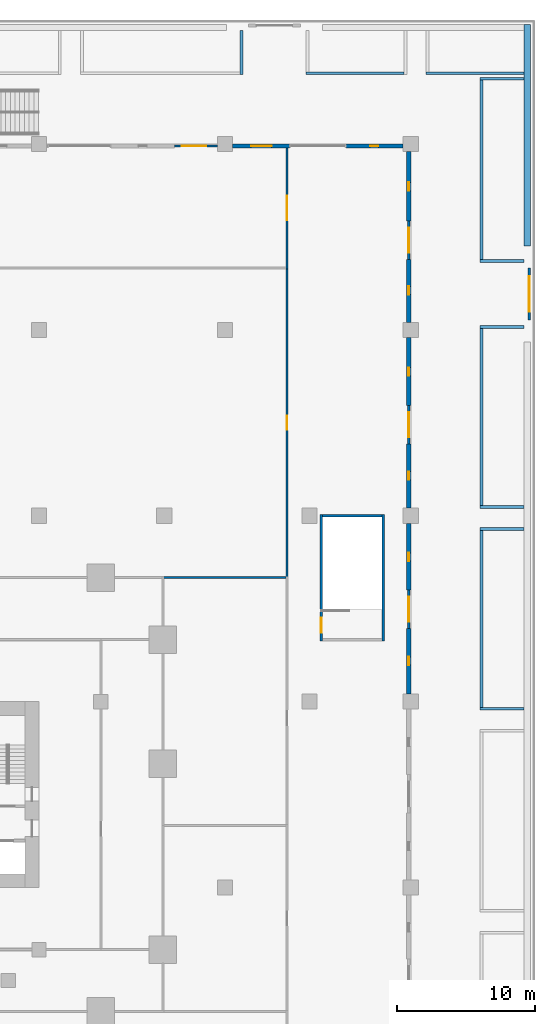
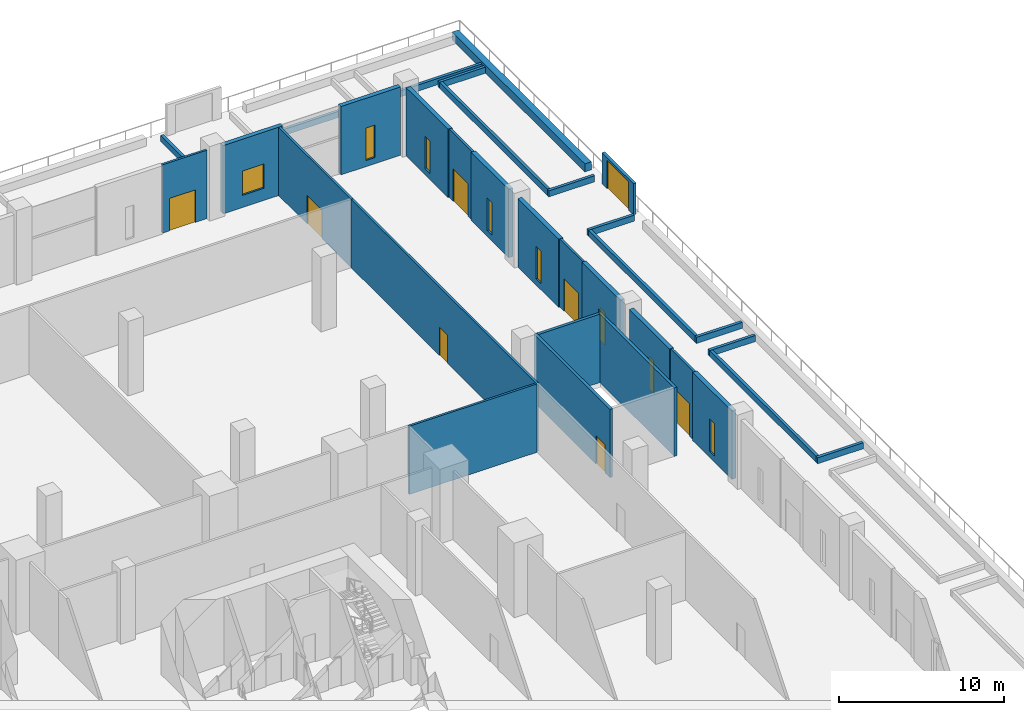
# One storey, part 39 of 47: 32 walls, 8 doors, 8 windows, 16 openings.
"""IFC4 building model written with IfcOpenShell, lengths in metres."""

from ifc_helpers import new_model, si_unit, direction, frame, frame_2d, origin, place, context, subcontext, project, spatial, rectangle, extrude, material, layer, layer_set, type_object, element, fill, save


model = new_model("IFC4")

# Units and contexts
model_context = context("Model", 3, precision=1e-05, world=origin(), true_north=direction((0.0, 1.0)))
body_context = subcontext(model_context, "Body", "Model", "MODEL_VIEW")
ifc_project = project(units=[si_unit("LENGTHUNIT", "METRE"), si_unit("AREAUNIT", "SQUARE_METRE"), si_unit("VOLUMEUNIT", "CUBIC_METRE"), si_unit("PLANEANGLEUNIT", "RADIAN"), si_unit("MASSUNIT", "GRAM", prefix="KILO")], contexts=[model_context])

# Site, building, storey
site_placement = place(None, origin())
site = spatial("IfcSite", under=ifc_project, at=site_placement, CompositionType="ELEMENT")
building_placement = place(site_placement, origin())
building = spatial("IfcBuilding", under=site, at=building_placement, Name="Altepetl Exchange Towers", CompositionType="ELEMENT")
storey_placement = place(building_placement, frame((0.0, 0.0, 6.0)))
storey = spatial("IfcBuildingStorey", under=building, at=storey_placement, Name="L01 Retail podium", CompositionType="ELEMENT", Elevation=6.0)

# Wall, opening, door
ifc_material_1 = material(Name="Reinforced concrete C35/45", Category="concrete")
ifc_layer_1 = layer(ifc_material_1, 0.199951171875)
ifc_layer_set_1 = layer_set([ifc_layer_1], Name="Reinforced concrete C35/45")
wall_type_1 = type_object("IfcWallType", Name="Garden gate screen wall 200", PredefinedType="SOLIDWALL", material=ifc_layer_set_1)
wall_1_placement = place(storey_placement, frame((152.60009765625, 77.199951171875, 0.0), z_axis=(0.0, 0.0, 1.0), x_axis=(0.0, 1.0, 0.0)))
wall_1 = element("IfcWall", 1, at=wall_1_placement, inside=storey, type_object=wall_type_1, Name="wall:P:L01:gateG6", PredefinedType="SOLIDWALL", context=body_context, shape_type="SweptSolid", body=[
    extrude(rectangle(XDim=3.800048828125, YDim=0.199951171875, at=frame_2d((1.89990234375, 0.0))), origin(), (0.0, 0.0, 1.0), 2.300048828125),
])
opening_1_placement = place(wall_1_placement, frame((0.60009765625, 0.0, 0.0)))
opening_1 = element("IfcOpeningElement", 2, at=opening_1_placement, cuts=wall_1, Name="Opening L01.P061", PredefinedType="OPENING", context=body_context, shape_type="SweptSolid", body=[
    extrude(rectangle(XDim=2.60009765625, YDim=2.10009765625, at=frame_2d((1.300048828125, 1.050048828125))), frame((0.0, 0.10986328125, 0.0), z_axis=(0.0, -1.0, 0.0), x_axis=(1.0, 0.0, 0.0)), (0.0, 0.0, 1.0), 0.219970703125),
])
ifc_material_2 = material(Name="Painted steel bars and timber", Category="steel")
door_type_1 = type_object("IfcDoorType", Name="Garden gate 2600 x 2100 double leaf", OperationType="DOUBLE_DOOR_SINGLE_SWING", PredefinedType="GATE", material=ifc_material_2)
door_1_placement = place(opening_1_placement, frame((2.60009765625, 0.0, 0.0), x_axis=(-1.0, 0.0, 0.0)))
door_1 = element("IfcDoor", 3, at=door_1_placement, inside=storey, type_object=door_type_1, Name="door:P:L01:061", OperationType="DOUBLE_DOOR_SINGLE_SWING", OverallHeight=2.10009765625, OverallWidth=2.60009765625, PredefinedType="GATE", context=body_context, shape_type="SweptSolid", body=[
    extrude(rectangle(XDim=2.60009765625, YDim=2.10009765625, at=frame_2d((1.300048828125, 1.050048828125))), frame((0.0, 0.02490234375, 0.0), z_axis=(0.0, -1.0, 0.0), x_axis=(1.0, 0.0, 0.0)), (0.0, 0.0, 1.0), 0.050048828125),
])
fill(opening_1, door_1)

ifc_material_3 = material(Name="Aluminium composite cladding", Category="aluminium")
ifc_layer_2 = layer(ifc_material_3, 0.14990234375)
ifc_layer_set_2 = layer_set([ifc_layer_2], Name="Aluminium composite cladding")
wall_type_2 = type_object("IfcWallType", Name="Infill wall 150 aluminium panel", PredefinedType="SOLIDWALL", material=ifc_layer_set_2)
wall_2_placement = place(storey_placement, frame((143.85009765625, 54.800048828125, 0.0), z_axis=(0.0, 0.0, 1.0), x_axis=(0.0, 1.0, 0.0)))
wall_2 = element("IfcWall", 4, at=wall_2_placement, inside=storey, type_object=wall_type_2, Name="Door bay wall", PredefinedType="SOLIDWALL", context=body_context, shape_type="SweptSolid", body=[
    extrude(rectangle(XDim=2.800048828125, YDim=0.14990234375, at=frame_2d((1.39990234375, 0.0))), origin(), (0.0, 0.0, 1.0), 5.050048828125),
])
opening_2_placement = place(wall_2_placement, frame((0.5, 0.0, 0.0)))
opening_2 = element("IfcOpeningElement", 5, at=opening_2_placement, cuts=wall_2, Name="Opening L01.E25", PredefinedType="OPENING", context=body_context, shape_type="SweptSolid", body=[
    extrude(rectangle(XDim=1.800048828125, YDim=2.39990234375, at=frame_2d((0.89990234375, 1.199951171875))), frame((0.0, 0.0849609375, 0.0), z_axis=(0.0, -1.0, 0.0), x_axis=(1.0, 0.0, 0.0)), (0.0, 0.0, 1.0), 0.169921875),
])
ifc_material_4 = material(Name="Aluminium 6063-T6 and glass", Category="aluminium")
door_type_2 = type_object("IfcDoorType", Name="Glazed door pair 1800x2400", OperationType="DOUBLE_DOOR_DOUBLE_SWING", PredefinedType="NOTDEFINED", material=ifc_material_4)
door_2_placement = place(opening_2_placement, frame((1.800048828125, 0.0, 0.0), x_axis=(-1.0, 0.0, 0.0)))
door_2 = element("IfcDoor", 6, at=door_2_placement, inside=storey, type_object=door_type_2, Name="Terrace door", OperationType="DOUBLE_DOOR_DOUBLE_SWING", OverallHeight=2.39990234375, OverallWidth=1.800048828125, PredefinedType="NOTDEFINED", context=body_context, shape_type="SweptSolid", body=[
    extrude(rectangle(XDim=1.800048828125, YDim=2.39990234375, at=frame_2d((0.89990234375, 1.199951171875))), frame((0.0, 0.02490234375, 0.0), z_axis=(0.0, -1.0, 0.0), x_axis=(1.0, 0.0, 0.0)), (0.0, 0.0, 1.0), 0.050048828125),
])
fill(opening_2, door_2)

wall_3_placement = place(storey_placement, frame((143.85009765625, 68.199951171875, 0.0), z_axis=(0.0, 0.0, 1.0), x_axis=(0.0, 1.0, 0.0)))
wall_3 = element("IfcWall", 7, at=wall_3_placement, inside=storey, type_object=wall_type_2, Name="Door bay wall", PredefinedType="SOLIDWALL", context=body_context, shape_type="SweptSolid", body=[
    extrude(rectangle(XDim=2.800048828125, YDim=0.14990234375, at=frame_2d((1.39990234375, 0.0))), origin(), (0.0, 0.0, 1.0), 5.050048828125),
])
opening_3_placement = place(wall_3_placement, frame((0.5, 0.0, 0.0)))
opening_3 = element("IfcOpeningElement", 8, at=opening_3_placement, cuts=wall_3, Name="Opening L01.E26", PredefinedType="OPENING", context=body_context, shape_type="SweptSolid", body=[
    extrude(rectangle(XDim=1.800048828125, YDim=2.39990234375, at=frame_2d((0.89990234375, 1.199951171875))), frame((0.0, 0.0849609375, 0.0), z_axis=(0.0, -1.0, 0.0), x_axis=(1.0, 0.0, 0.0)), (0.0, 0.0, 1.0), 0.169921875),
])
door_3_placement = place(opening_3_placement, frame((1.800048828125, 0.0, 0.0), x_axis=(-1.0, 0.0, 0.0)))
door_3 = element("IfcDoor", 9, at=door_3_placement, inside=storey, type_object=door_type_2, Name="Terrace door", OperationType="DOUBLE_DOOR_DOUBLE_SWING", OverallHeight=2.39990234375, OverallWidth=1.800048828125, PredefinedType="NOTDEFINED", context=body_context, shape_type="SweptSolid", body=[
    extrude(rectangle(XDim=1.800048828125, YDim=2.39990234375, at=frame_2d((0.89990234375, 1.199951171875))), frame((0.0, 0.02490234375, 0.0), z_axis=(0.0, -1.0, 0.0), x_axis=(1.0, 0.0, 0.0)), (0.0, 0.0, 1.0), 0.050048828125),
])
fill(opening_3, door_3)

wall_4_placement = place(storey_placement, frame((143.85009765625, 81.60009765625, 0.0), z_axis=(0.0, 0.0, 1.0), x_axis=(0.0, 1.0, 0.0)))
wall_4 = element("IfcWall", 10, at=wall_4_placement, inside=storey, type_object=wall_type_2, Name="Door bay wall", PredefinedType="SOLIDWALL", context=body_context, shape_type="SweptSolid", body=[
    extrude(rectangle(XDim=2.7998046875, YDim=0.14990234375, at=frame_2d((1.39990234375, 0.0))), origin(), (0.0, 0.0, 1.0), 5.050048828125),
])
opening_4_placement = place(wall_4_placement, frame((0.5, 0.0, 0.0)))
opening_4 = element("IfcOpeningElement", 11, at=opening_4_placement, cuts=wall_4, Name="Opening L01.E27", PredefinedType="OPENING", context=body_context, shape_type="SweptSolid", body=[
    extrude(rectangle(XDim=1.800048828125, YDim=2.39990234375, at=frame_2d((0.89990234375, 1.199951171875))), frame((0.0, 0.0849609375, 0.0), z_axis=(0.0, -1.0, 0.0), x_axis=(1.0, 0.0, 0.0)), (0.0, 0.0, 1.0), 0.169921875),
])
door_4_placement = place(opening_4_placement, frame((1.800048828125, 0.0, 0.0), x_axis=(-1.0, 0.0, 0.0)))
door_4 = element("IfcDoor", 12, at=door_4_placement, inside=storey, type_object=door_type_2, Name="Terrace door", OperationType="DOUBLE_DOOR_DOUBLE_SWING", OverallHeight=2.39990234375, OverallWidth=1.800048828125, PredefinedType="NOTDEFINED", context=body_context, shape_type="SweptSolid", body=[
    extrude(rectangle(XDim=1.800048828125, YDim=2.39990234375, at=frame_2d((0.89990234375, 1.199951171875))), frame((0.0, 0.02490234375, 0.0), z_axis=(0.0, -1.0, 0.0), x_axis=(1.0, 0.0, 0.0)), (0.0, 0.0, 1.0), 0.050048828125),
])
fill(opening_4, door_4)

wall_5_placement = place(storey_placement, frame((129.949951171875, 89.85009765625, 0.0), z_axis=(0.0, 0.0, 1.0), x_axis=(-1.0, 0.0, 0.0)))
wall_5 = element("IfcWall", 13, at=wall_5_placement, inside=storey, type_object=wall_type_2, Name="Door bay wall", PredefinedType="SOLIDWALL", context=body_context, shape_type="SweptSolid", body=[
    extrude(rectangle(XDim=3.099853515625, YDim=0.14990234375, at=frame_2d((1.5498046875, 0.0))), origin(), (0.0, 0.0, 1.0), 5.050048828125),
])
opening_5_placement = place(wall_5_placement, frame((0.800048828125, 0.0, 0.0)))
opening_5 = element("IfcOpeningElement", 14, at=opening_5_placement, cuts=wall_5, Name="Opening L01.E30", PredefinedType="OPENING", context=body_context, shape_type="SweptSolid", body=[
    extrude(rectangle(XDim=1.800048828125, YDim=2.39990234375, at=frame_2d((0.89990234375, 1.199951171875))), frame((0.0, 0.0849609375, 0.0), z_axis=(0.0, -1.0, 0.0), x_axis=(1.0, 0.0, 0.0)), (0.0, 0.0, 1.0), 0.169921875),
])
door_5_placement = place(opening_5_placement, frame((1.800048828125, 0.0, 0.0), x_axis=(-1.0, 0.0, 0.0)))
door_5 = element("IfcDoor", 15, at=door_5_placement, inside=storey, type_object=door_type_2, Name="Terrace door", OperationType="DOUBLE_DOOR_DOUBLE_SWING", OverallHeight=2.39990234375, OverallWidth=1.800048828125, PredefinedType="NOTDEFINED", context=body_context, shape_type="SweptSolid", body=[
    extrude(rectangle(XDim=1.800048828125, YDim=2.39990234375, at=frame_2d((0.89990234375, 1.199951171875))), frame((0.0, 0.02490234375, 0.0), z_axis=(0.0, -1.0, 0.0), x_axis=(1.0, 0.0, 0.0)), (0.0, 0.0, 1.0), 0.050048828125),
])
fill(opening_5, door_5)

# Walls
ifc_material_5 = material(Name="Concrete C30/37", Category="concrete")
ifc_layer_3 = layer(ifc_material_5, 0.449951171875)
ifc_layer_set_3 = layer_set([ifc_layer_3], Name="Concrete C30/37")
wall_type_3 = type_object("IfcWallType", Name="Planter wall 450 concrete", PredefinedType="SOLIDWALL", material=ifc_layer_set_3)
wall_6_placement = place(storey_placement, frame((152.449951171875, 82.592529296875, 0.0), z_axis=(0.0, 0.0, 1.0), x_axis=(0.0, 1.0, 0.0)))
element("IfcWall", 16, at=wall_6_placement, inside=storey, type_object=wall_type_3, Name="Planter bed wall", PredefinedType="SOLIDWALL", context=body_context, shape_type="SweptSolid", body=[
    extrude(rectangle(XDim=16.08251953125, YDim=0.449951171875, at=frame_2d((8.041259765625, 0.0))), origin(), (0.0, 0.0, 1.0), 0.60009765625),
])
ifc_layer_4 = layer(ifc_material_1, 0.199951171875)
ifc_layer_set_4 = layer_set([ifc_layer_4], Name="Reinforced concrete C35/45")
wall_type_4 = type_object("IfcWallType", Name="Planting bed curb 200", PredefinedType="SOLIDWALL", material=ifc_layer_set_4)
for number, where, name in (
    (17, (136.39990234375, 95.125, 0.0), "wall:P:L01:CB11s"),
    (18, (145.112548828125, 95.125, 0.0), "wall:P:L01:CB12s"),
):
    element("IfcWall", number, at=place(storey_placement, frame(where)), inside=storey, type_object=wall_type_4, Name=name, PredefinedType="SOLIDWALL", context=body_context, shape_type="SweptSolid", body=[
        extrude(rectangle(XDim=7.112548828125, YDim=0.199951171875, at=frame_2d((3.55615234375, 0.0))), origin(), (0.0, 0.0, 1.0), 0.449951171875),
    ])
wall_7_placement = place(storey_placement, frame((131.699951171875, 95.02490234375, 0.0), z_axis=(0.0, 0.0, 1.0), x_axis=(0.0, 1.0, 0.0)))
element("IfcWall", 19, at=wall_7_placement, inside=storey, type_object=wall_type_4, Name="wall:P:L01:CB19e", PredefinedType="SOLIDWALL", context=body_context, shape_type="SweptSolid", body=[
    extrude(rectangle(XDim=3.2001953125, YDim=0.199951171875, at=frame_2d((1.60009765625, 0.0))), origin(), (0.0, 0.0, 1.0), 0.449951171875),
])
for number, where, name in (
    (20, (149.02490234375, 62.0400390625, 0.0), "wall:P:L01:CB31n"),
    (21, (149.02490234375, 48.97998046875, 0.0), "wall:P:L01:CB31s"),
):
    element("IfcWall", number, at=place(storey_placement, frame(where)), inside=storey, type_object=wall_type_4, Name=name, PredefinedType="SOLIDWALL", context=body_context, shape_type="SweptSolid", body=[
        extrude(rectangle(XDim=3.2001953125, YDim=0.199951171875, at=frame_2d((1.60009765625, 0.0))), origin(), (0.0, 0.0, 1.0), 0.449951171875),
    ])
wall_8_placement = place(storey_placement, frame((149.125, 49.080078125, 0.0), z_axis=(0.0, 0.0, 1.0), x_axis=(0.0, 1.0, 0.0)))
element("IfcWall", 22, at=wall_8_placement, inside=storey, type_object=wall_type_4, Name="wall:P:L01:CB31w", PredefinedType="SOLIDWALL", context=body_context, shape_type="SweptSolid", body=[
    extrude(rectangle(XDim=12.85986328125, YDim=0.199951171875, at=frame_2d((6.429931640625, 0.0))), origin(), (0.0, 0.0, 1.0), 0.449951171875),
])
for number, where, name in (
    (23, (149.02490234375, 76.699951171875, 0.0), "wall:P:L01:CB32n"),
    (24, (149.02490234375, 63.639892578125, 0.0), "wall:P:L01:CB32s"),
):
    element("IfcWall", number, at=place(storey_placement, frame(where)), inside=storey, type_object=wall_type_4, Name=name, PredefinedType="SOLIDWALL", context=body_context, shape_type="SweptSolid", body=[
        extrude(rectangle(XDim=3.2001953125, YDim=0.199951171875, at=frame_2d((1.60009765625, 0.0))), origin(), (0.0, 0.0, 1.0), 0.449951171875),
    ])
wall_9_placement = place(storey_placement, frame((149.125, 63.739990234375, 0.0), z_axis=(0.0, 0.0, 1.0), x_axis=(0.0, 1.0, 0.0)))
element("IfcWall", 25, at=wall_9_placement, inside=storey, type_object=wall_type_4, Name="wall:P:L01:CB32w", PredefinedType="SOLIDWALL", context=body_context, shape_type="SweptSolid", body=[
    extrude(rectangle(XDim=12.860107421875, YDim=0.199951171875, at=frame_2d((6.43017578125, 0.0))), origin(), (0.0, 0.0, 1.0), 0.449951171875),
])
for number, where, name in (
    (26, (149.02490234375, 94.72509765625, 0.0), "wall:P:L01:CB33n"),
    (27, (149.02490234375, 81.5, 0.0), "wall:P:L01:CB33s"),
):
    element("IfcWall", number, at=place(storey_placement, frame(where)), inside=storey, type_object=wall_type_4, Name=name, PredefinedType="SOLIDWALL", context=body_context, shape_type="SweptSolid", body=[
        extrude(rectangle(XDim=3.2001953125, YDim=0.199951171875, at=frame_2d((1.60009765625, 0.0))), origin(), (0.0, 0.0, 1.0), 0.449951171875),
    ])
wall_10_placement = place(storey_placement, frame((149.125, 81.60009765625, 0.0), z_axis=(0.0, 0.0, 1.0), x_axis=(0.0, 1.0, 0.0)))
element("IfcWall", 28, at=wall_10_placement, inside=storey, type_object=wall_type_4, Name="wall:P:L01:CB33w", PredefinedType="SOLIDWALL", context=body_context, shape_type="SweptSolid", body=[
    extrude(rectangle(XDim=13.02490234375, YDim=0.199951171875, at=frame_2d((6.512451171875, 0.0))), origin(), (0.0, 0.0, 1.0), 0.449951171875),
])

# Wall, opening, door
ifc_material_6 = material(Name="Gypsum board on steel studs", Category="steel")
ifc_layer_5 = layer(ifc_material_6, 0.14990234375)
ifc_layer_set_5 = layer_set([ifc_layer_5], Name="Gypsum board on steel studs")
wall_type_5 = type_object("IfcWallType", Name="Podium partition 150", PredefinedType="PARTITIONING", material=ifc_layer_set_5)
wall_11_placement = place(storey_placement, frame((135.0, 80.925048828125, 0.0), z_axis=(0.0, 0.0, 1.0), x_axis=(0.0, 1.0, 0.0)))
wall_11 = element("IfcWall", 29, at=wall_11_placement, inside=storey, type_object=wall_type_5, Name="wall:P:L01:P056", PredefinedType="PARTITIONING", context=body_context, shape_type="SweptSolid", body=[
    extrude(rectangle(XDim=8.77490234375, YDim=0.14990234375, at=frame_2d((4.387451171875, 0.0))), origin(), (0.0, 0.0, 1.0), 5.050048828125),
])
opening_6_placement = place(wall_11_placement, frame((3.52490234375, 0.0, 0.0)))
opening_6 = element("IfcOpeningElement", 30, at=opening_6_placement, cuts=wall_11, Name="Opening L01.P049", PredefinedType="OPENING", context=body_context, shape_type="SweptSolid", body=[
    extrude(rectangle(XDim=1.800048828125, YDim=2.10009765625, at=frame_2d((0.89990234375, 1.050048828125))), frame((0.0, 0.0849609375, 0.0), z_axis=(0.0, -1.0, 0.0), x_axis=(1.0, 0.0, 0.0)), (0.0, 0.0, 1.0), 0.169921875),
])
ifc_material_7 = material(Name="Glazed aluminium and steel", Category="steel")
door_type_3 = type_object("IfcDoorType", Name="Podium fire door 1800 x 2100 double leaf", OperationType="DOUBLE_DOOR_SINGLE_SWING", PredefinedType="DOOR", material=ifc_material_7)
door_6_placement = place(opening_6_placement, origin())
door_6 = element("IfcDoor", 31, at=door_6_placement, inside=storey, type_object=door_type_3, Name="door:P:L01:049", OperationType="DOUBLE_DOOR_SINGLE_SWING", OverallHeight=2.10009765625, OverallWidth=1.800048828125, PredefinedType="DOOR", context=body_context, shape_type="SweptSolid", body=[
    extrude(rectangle(XDim=1.800048828125, YDim=2.10009765625, at=frame_2d((0.89990234375, 1.050048828125))), frame((0.0, 0.02490234375, 0.0), z_axis=(0.0, -1.0, 0.0), x_axis=(1.0, 0.0, 0.0)), (0.0, 0.0, 1.0), 0.050048828125),
])
fill(opening_6, door_6)

wall_12_placement = place(storey_placement, frame((135.0, 58.5, 0.0), z_axis=(0.0, 0.0, 1.0), x_axis=(0.0, 1.0, 0.0)))
wall_12 = element("IfcWall", 32, at=wall_12_placement, inside=storey, type_object=wall_type_5, Name="wall:P:L01:P060", PredefinedType="PARTITIONING", context=body_context, shape_type="SweptSolid", body=[
    extrude(rectangle(XDim=22.5, YDim=0.14990234375, at=frame_2d((11.25, 0.0))), origin(), (0.0, 0.0, 1.0), 5.050048828125),
])
opening_7_placement = place(wall_12_placement, frame((10.75, 0.0, 0.0)))
opening_7 = element("IfcOpeningElement", 33, at=opening_7_placement, cuts=wall_12, Name="Opening L01.P022", PredefinedType="OPENING", context=body_context, shape_type="SweptSolid", body=[
    extrude(rectangle(XDim=1.0, YDim=2.10009765625, at=frame_2d((0.5, 1.050048828125))), frame((0.0, 0.0849609375, 0.0), z_axis=(0.0, -1.0, 0.0), x_axis=(1.0, 0.0, 0.0)), (0.0, 0.0, 1.0), 0.169921875),
])
ifc_material_8 = material(Name="Steel and timber fire door", Category="steel")
door_type_4 = type_object("IfcDoorType", Name="Podium fire door 1000 x 2100 single leaf", OperationType="SINGLE_SWING_LEFT", PredefinedType="DOOR", material=ifc_material_8)
door_7_placement = place(opening_7_placement, origin())
door_7 = element("IfcDoor", 34, at=door_7_placement, inside=storey, type_object=door_type_4, Name="door:P:L01:022", OperationType="SINGLE_SWING_RIGHT", OverallHeight=2.10009765625, OverallWidth=1.0, PredefinedType="DOOR", context=body_context, shape_type="SweptSolid", body=[
    extrude(rectangle(XDim=1.0, YDim=2.10009765625, at=frame_2d((0.5, 1.050048828125))), frame((0.0, 0.02490234375, 0.0), z_axis=(0.0, -1.0, 0.0), x_axis=(1.0, 0.0, 0.0)), (0.0, 0.0, 1.0), 0.050048828125),
])
fill(opening_7, door_7)

# Wall
wall_13_placement = place(storey_placement, frame((126.0, 58.5, 0.0)))
element("IfcWall", 35, at=wall_13_placement, inside=storey, type_object=wall_type_5, Name="wall:P:L01:P151", PredefinedType="PARTITIONING", context=body_context, shape_type="SweptSolid", body=[
    extrude(rectangle(XDim=8.925048828125, YDim=0.14990234375, at=frame_2d((4.46240234375, 0.0))), origin(), (0.0, 0.0, 1.0), 5.050048828125),
])

# Wall, opening, door
ifc_layer_6 = layer(ifc_material_1, 0.199951171875)
ifc_layer_set_6 = layer_set([ifc_layer_6], Name="Reinforced concrete C35/45")
wall_type_6 = type_object("IfcWallType", Name="Stair enclosure wall 200", PredefinedType="SOLIDWALL", material=ifc_layer_set_6)
wall_14_placement = place(storey_placement, frame((137.5, 53.89990234375, 0.0), z_axis=(0.0, 0.0, 1.0), x_axis=(0.0, 1.0, 0.0)))
wall_14 = element("IfcWall", 36, at=wall_14_placement, inside=storey, type_object=wall_type_6, Name="wall:P:L01:P061", PredefinedType="SOLIDWALL", context=body_context, shape_type="SweptSolid", body=[
    extrude(rectangle(XDim=9.2001953125, YDim=0.199951171875, at=frame_2d((4.60009765625, 0.0))), origin(), (0.0, 0.0, 1.0), 5.050048828125),
])
opening_8_placement = place(wall_14_placement, frame((0.60009765625, 0.0, 0.0)))
opening_8 = element("IfcOpeningElement", 37, at=opening_8_placement, cuts=wall_14, Name="Opening L01.P026", PredefinedType="OPENING", context=body_context, shape_type="SweptSolid", body=[
    extrude(rectangle(XDim=1.10009765625, YDim=2.10009765625, at=frame_2d((0.550048828125, 1.050048828125))), frame((0.0, 0.10986328125, 0.0), z_axis=(0.0, -1.0, 0.0), x_axis=(1.0, 0.0, 0.0)), (0.0, 0.0, 1.0), 0.219970703125),
])
ifc_material_9 = material(Name="Steel fire door", Category="steel")
door_type_5 = type_object("IfcDoorType", Name="Podium fire door 1100 x 2100 single leaf", OperationType="SINGLE_SWING_LEFT", PredefinedType="DOOR", material=ifc_material_9)
door_8_placement = place(opening_8_placement, frame((1.10009765625, 0.0, 0.0), x_axis=(-1.0, 0.0, 0.0)))
door_8 = element("IfcDoor", 38, at=door_8_placement, inside=storey, type_object=door_type_5, Name="door:P:L01:026", OperationType="SINGLE_SWING_LEFT", OverallHeight=2.10009765625, OverallWidth=1.10009765625, PredefinedType="DOOR", context=body_context, shape_type="SweptSolid", body=[
    extrude(rectangle(XDim=1.10009765625, YDim=2.10009765625, at=frame_2d((0.550048828125, 1.050048828125))), frame((0.0, 0.02490234375, 0.0), z_axis=(0.0, -1.0, 0.0), x_axis=(1.0, 0.0, 0.0)), (0.0, 0.0, 1.0), 0.050048828125),
])
fill(opening_8, door_8)

# Walls
wall_15_placement = place(storey_placement, frame((142.0, 53.89990234375, 0.0), z_axis=(0.0, 0.0, 1.0), x_axis=(0.0, 1.0, 0.0)))
element("IfcWall", 39, at=wall_15_placement, inside=storey, type_object=wall_type_6, Name="wall:P:L01:P062", PredefinedType="SOLIDWALL", context=body_context, shape_type="SweptSolid", body=[
    extrude(rectangle(XDim=9.2001953125, YDim=0.199951171875, at=frame_2d((4.60009765625, 0.0))), origin(), (0.0, 0.0, 1.0), 5.050048828125),
])
wall_16_placement = place(storey_placement, frame((137.60009765625, 63.0, 0.0)))
element("IfcWall", 40, at=wall_16_placement, inside=storey, type_object=wall_type_6, Name="wall:P:L01:P064", PredefinedType="SOLIDWALL", context=body_context, shape_type="SweptSolid", body=[
    extrude(rectangle(XDim=4.2998046875, YDim=0.199951171875, at=frame_2d((2.14990234375, 0.0))), origin(), (0.0, 0.0, 1.0), 5.050048828125),
])

# Wall, opening, window
ifc_material_10 = material(Name="Cantera limestone cladding", Category="masonry")
ifc_layer_7 = layer(ifc_material_10, 0.300048828125)
ifc_layer_set_7 = layer_set([ifc_layer_7], Name="Cantera limestone cladding")
wall_type_7 = type_object("IfcWallType", Name="Stone wall panel 300", PredefinedType="ELEMENTEDWALL", material=ifc_layer_set_7)
wall_17_placement = place(storey_placement, frame((143.85009765625, 50.050048828125, 0.0), z_axis=(0.0, 0.0, 1.0), x_axis=(0.0, 1.0, 0.0)))
wall_17 = element("IfcWall", 41, at=wall_17_placement, inside=storey, type_object=wall_type_7, Name="Stone wall panel", PredefinedType="ELEMENTEDWALL", context=body_context, shape_type="SweptSolid", body=[
    extrude(rectangle(XDim=4.75, YDim=0.300048828125, at=frame_2d((2.375, 0.0))), origin(), (0.0, 0.0, 1.0), 5.050048828125),
])
opening_9_placement = place(wall_17_placement, frame((2.10009765625, 0.0, 0.449951171875)))
opening_9 = element("IfcOpeningElement", 42, at=opening_9_placement, cuts=wall_17, Name="Opening W3", PredefinedType="OPENING", context=body_context, shape_type="SweptSolid", body=[
    extrude(rectangle(XDim=0.60009765625, YDim=2.39990234375, at=frame_2d((0.300048828125, 1.199951171875))), frame((0.0, 0.16015625, 0.0), z_axis=(0.0, -1.0, 0.0), x_axis=(1.0, 0.0, 0.0)), (0.0, 0.0, 1.0), 0.320068359375),
])
window_type_1 = type_object("IfcWindowType", Name="Tall slot window 600x2400", PartitioningType="SINGLE_PANEL", PredefinedType="WINDOW", material=ifc_material_4)
window_1_placement = place(opening_9_placement, origin())
window_1 = element("IfcWindow", 43, at=window_1_placement, inside=storey, type_object=window_type_1, Name="Window", OverallHeight=2.39990234375, OverallWidth=0.60009765625, PartitioningType="SINGLE_PANEL", PredefinedType="WINDOW", context=body_context, shape_type="SweptSolid", body=[
    extrude(rectangle(XDim=0.60009765625, YDim=2.39990234375, at=frame_2d((0.300048828125, 1.199951171875))), frame((0.0, 0.030029296875, 0.0), z_axis=(0.0, -1.0, 0.0), x_axis=(1.0, 0.0, 0.0)), (0.0, 0.0, 1.0), 0.06005859375),
])
fill(opening_9, window_1)

wall_18_placement = place(storey_placement, frame((143.85009765625, 57.60009765625, 0.0), z_axis=(0.0, 0.0, 1.0), x_axis=(0.0, 1.0, 0.0)))
wall_18 = element("IfcWall", 44, at=wall_18_placement, inside=storey, type_object=wall_type_7, Name="Stone wall panel", PredefinedType="ELEMENTEDWALL", context=body_context, shape_type="SweptSolid", body=[
    extrude(rectangle(XDim=4.849853515625, YDim=0.300048828125, at=frame_2d((2.4248046875, 0.0))), origin(), (0.0, 0.0, 1.0), 5.050048828125),
])
opening_10_placement = place(wall_18_placement, frame((2.10009765625, 0.0, 0.449951171875)))
opening_10 = element("IfcOpeningElement", 45, at=opening_10_placement, cuts=wall_18, Name="Opening W3", PredefinedType="OPENING", context=body_context, shape_type="SweptSolid", body=[
    extrude(rectangle(XDim=0.60009765625, YDim=2.39990234375, at=frame_2d((0.300048828125, 1.199951171875))), frame((0.0, 0.16015625, 0.0), z_axis=(0.0, -1.0, 0.0), x_axis=(1.0, 0.0, 0.0)), (0.0, 0.0, 1.0), 0.320068359375),
])
window_2_placement = place(opening_10_placement, origin())
window_2 = element("IfcWindow", 46, at=window_2_placement, inside=storey, type_object=window_type_1, Name="Window", OverallHeight=2.39990234375, OverallWidth=0.60009765625, PartitioningType="SINGLE_PANEL", PredefinedType="WINDOW", context=body_context, shape_type="SweptSolid", body=[
    extrude(rectangle(XDim=0.60009765625, YDim=2.39990234375, at=frame_2d((0.300048828125, 1.199951171875))), frame((0.0, 0.030029296875, 0.0), z_axis=(0.0, -1.0, 0.0), x_axis=(1.0, 0.0, 0.0)), (0.0, 0.0, 1.0), 0.06005859375),
])
fill(opening_10, window_2)

wall_19_placement = place(storey_placement, frame((143.85009765625, 63.550048828125, 0.0), z_axis=(0.0, 0.0, 1.0), x_axis=(0.0, 1.0, 0.0)))
wall_19 = element("IfcWall", 47, at=wall_19_placement, inside=storey, type_object=wall_type_7, Name="Stone wall panel", PredefinedType="ELEMENTEDWALL", context=body_context, shape_type="SweptSolid", body=[
    extrude(rectangle(XDim=4.64990234375, YDim=0.300048828125, at=frame_2d((2.324951171875, 0.0))), origin(), (0.0, 0.0, 1.0), 5.050048828125),
])
opening_11_placement = place(wall_19_placement, frame((2.050048828125, 0.0, 0.449951171875)))
opening_11 = element("IfcOpeningElement", 48, at=opening_11_placement, cuts=wall_19, Name="Opening W3", PredefinedType="OPENING", context=body_context, shape_type="SweptSolid", body=[
    extrude(rectangle(XDim=0.60009765625, YDim=2.39990234375, at=frame_2d((0.300048828125, 1.199951171875))), frame((0.0, 0.16015625, 0.0), z_axis=(0.0, -1.0, 0.0), x_axis=(1.0, 0.0, 0.0)), (0.0, 0.0, 1.0), 0.320068359375),
])
window_3_placement = place(opening_11_placement, origin())
window_3 = element("IfcWindow", 49, at=window_3_placement, inside=storey, type_object=window_type_1, Name="Window", OverallHeight=2.39990234375, OverallWidth=0.60009765625, PartitioningType="SINGLE_PANEL", PredefinedType="WINDOW", context=body_context, shape_type="SweptSolid", body=[
    extrude(rectangle(XDim=0.60009765625, YDim=2.39990234375, at=frame_2d((0.300048828125, 1.199951171875))), frame((0.0, 0.030029296875, 0.0), z_axis=(0.0, -1.0, 0.0), x_axis=(1.0, 0.0, 0.0)), (0.0, 0.0, 1.0), 0.06005859375),
])
fill(opening_11, window_3)

wall_20_placement = place(storey_placement, frame((143.85009765625, 71.0, 0.0), z_axis=(0.0, 0.0, 1.0), x_axis=(0.0, 1.0, 0.0)))
wall_20 = element("IfcWall", 50, at=wall_20_placement, inside=storey, type_object=wall_type_7, Name="Stone wall panel", PredefinedType="ELEMENTEDWALL", context=body_context, shape_type="SweptSolid", body=[
    extrude(rectangle(XDim=4.949951171875, YDim=0.300048828125, at=frame_2d((2.47509765625, 0.0))), origin(), (0.0, 0.0, 1.0), 5.050048828125),
])
opening_12_placement = place(wall_20_placement, frame((2.14990234375, 0.0, 0.449951171875)))
opening_12 = element("IfcOpeningElement", 51, at=opening_12_placement, cuts=wall_20, Name="Opening W3", PredefinedType="OPENING", context=body_context, shape_type="SweptSolid", body=[
    extrude(rectangle(XDim=0.60009765625, YDim=2.39990234375, at=frame_2d((0.300048828125, 1.199951171875))), frame((0.0, 0.16015625, 0.0), z_axis=(0.0, -1.0, 0.0), x_axis=(1.0, 0.0, 0.0)), (0.0, 0.0, 1.0), 0.320068359375),
])
window_4_placement = place(opening_12_placement, origin())
window_4 = element("IfcWindow", 52, at=window_4_placement, inside=storey, type_object=window_type_1, Name="Window", OverallHeight=2.39990234375, OverallWidth=0.60009765625, PartitioningType="SINGLE_PANEL", PredefinedType="WINDOW", context=body_context, shape_type="SweptSolid", body=[
    extrude(rectangle(XDim=0.60009765625, YDim=2.39990234375, at=frame_2d((0.300048828125, 1.199951171875))), frame((0.0, 0.030029296875, 0.0), z_axis=(0.0, -1.0, 0.0), x_axis=(1.0, 0.0, 0.0)), (0.0, 0.0, 1.0), 0.06005859375),
])
fill(opening_12, window_4)

wall_21_placement = place(storey_placement, frame((143.85009765625, 77.050048828125, 0.0), z_axis=(0.0, 0.0, 1.0), x_axis=(0.0, 1.0, 0.0)))
wall_21 = element("IfcWall", 53, at=wall_21_placement, inside=storey, type_object=wall_type_7, Name="Stone wall panel", PredefinedType="ELEMENTEDWALL", context=body_context, shape_type="SweptSolid", body=[
    extrude(rectangle(XDim=4.550048828125, YDim=0.300048828125, at=frame_2d((2.27490234375, 0.0))), origin(), (0.0, 0.0, 1.0), 5.050048828125),
])
opening_13_placement = place(wall_21_placement, frame((2.0, 0.0, 0.449951171875)))
opening_13 = element("IfcOpeningElement", 54, at=opening_13_placement, cuts=wall_21, Name="Opening W3", PredefinedType="OPENING", context=body_context, shape_type="SweptSolid", body=[
    extrude(rectangle(XDim=0.60009765625, YDim=2.39990234375, at=frame_2d((0.300048828125, 1.199951171875))), frame((0.0, 0.16015625, 0.0), z_axis=(0.0, -1.0, 0.0), x_axis=(1.0, 0.0, 0.0)), (0.0, 0.0, 1.0), 0.320068359375),
])
window_5_placement = place(opening_13_placement, origin())
window_5 = element("IfcWindow", 55, at=window_5_placement, inside=storey, type_object=window_type_1, Name="Window", OverallHeight=2.39990234375, OverallWidth=0.60009765625, PartitioningType="SINGLE_PANEL", PredefinedType="WINDOW", context=body_context, shape_type="SweptSolid", body=[
    extrude(rectangle(XDim=0.60009765625, YDim=2.39990234375, at=frame_2d((0.300048828125, 1.199951171875))), frame((0.0, 0.030029296875, 0.0), z_axis=(0.0, -1.0, 0.0), x_axis=(1.0, 0.0, 0.0)), (0.0, 0.0, 1.0), 0.06005859375),
])
fill(opening_13, window_5)

wall_22_placement = place(storey_placement, frame((143.85009765625, 84.39990234375, 0.0), z_axis=(0.0, 0.0, 1.0), x_axis=(0.0, 1.0, 0.0)))
wall_22 = element("IfcWall", 56, at=wall_22_placement, inside=storey, type_object=wall_type_7, Name="Stone wall panel", PredefinedType="ELEMENTEDWALL", context=body_context, shape_type="SweptSolid", body=[
    extrude(rectangle(XDim=5.050048828125, YDim=0.300048828125, at=frame_2d((2.52490234375, 0.0))), origin(), (0.0, 0.0, 1.0), 5.050048828125),
])
opening_14_placement = place(wall_22_placement, frame((2.199951171875, 0.0, 0.449951171875)))
opening_14 = element("IfcOpeningElement", 57, at=opening_14_placement, cuts=wall_22, Name="Opening W3", PredefinedType="OPENING", context=body_context, shape_type="SweptSolid", body=[
    extrude(rectangle(XDim=0.60009765625, YDim=2.39990234375, at=frame_2d((0.300048828125, 1.199951171875))), frame((0.0, 0.16015625, 0.0), z_axis=(0.0, -1.0, 0.0), x_axis=(1.0, 0.0, 0.0)), (0.0, 0.0, 1.0), 0.320068359375),
])
window_6_placement = place(opening_14_placement, origin())
window_6 = element("IfcWindow", 58, at=window_6_placement, inside=storey, type_object=window_type_1, Name="Window", OverallHeight=2.39990234375, OverallWidth=0.60009765625, PartitioningType="SINGLE_PANEL", PredefinedType="WINDOW", context=body_context, shape_type="SweptSolid", body=[
    extrude(rectangle(XDim=0.60009765625, YDim=2.39990234375, at=frame_2d((0.300048828125, 1.199951171875))), frame((0.0, 0.030029296875, 0.0), z_axis=(0.0, -1.0, 0.0), x_axis=(1.0, 0.0, 0.0)), (0.0, 0.0, 1.0), 0.06005859375),
])
fill(opening_14, window_6)

wall_23_placement = place(storey_placement, frame((143.449951171875, 89.85009765625, 0.0), z_axis=(0.0, 0.0, 1.0), x_axis=(-1.0, 0.0, 0.0)))
wall_23 = element("IfcWall", 59, at=wall_23_placement, inside=storey, type_object=wall_type_7, Name="Stone wall panel", PredefinedType="ELEMENTEDWALL", context=body_context, shape_type="SweptSolid", body=[
    extrude(rectangle(XDim=4.14990234375, YDim=0.300048828125, at=frame_2d((2.074951171875, 0.0))), origin(), (0.0, 0.0, 1.0), 5.050048828125),
])
opening_15_placement = place(wall_23_placement, frame((1.800048828125, 0.0, 0.449951171875)))
opening_15 = element("IfcOpeningElement", 60, at=opening_15_placement, cuts=wall_23, Name="Opening W3", PredefinedType="OPENING", context=body_context, shape_type="SweptSolid", body=[
    extrude(rectangle(XDim=0.60009765625, YDim=2.39990234375, at=frame_2d((0.300048828125, 1.199951171875))), frame((0.0, 0.16015625, 0.0), z_axis=(0.0, -1.0, 0.0), x_axis=(1.0, 0.0, 0.0)), (0.0, 0.0, 1.0), 0.320068359375),
])
window_7_placement = place(opening_15_placement, origin())
window_7 = element("IfcWindow", 61, at=window_7_placement, inside=storey, type_object=window_type_1, Name="Window", OverallHeight=2.39990234375, OverallWidth=0.60009765625, PartitioningType="SINGLE_PANEL", PredefinedType="WINDOW", context=body_context, shape_type="SweptSolid", body=[
    extrude(rectangle(XDim=0.60009765625, YDim=2.39990234375, at=frame_2d((0.300048828125, 1.199951171875))), frame((0.0, 0.030029296875, 0.0), z_axis=(0.0, -1.0, 0.0), x_axis=(1.0, 0.0, 0.0)), (0.0, 0.0, 1.0), 0.06005859375),
])
fill(opening_15, window_7)

wall_24_placement = place(storey_placement, frame((135.199951171875, 89.85009765625, 0.0), z_axis=(0.0, 0.0, 1.0), x_axis=(-1.0, 0.0, 0.0)))
wall_24 = element("IfcWall", 62, at=wall_24_placement, inside=storey, type_object=wall_type_7, Name="Stone wall panel", PredefinedType="ELEMENTEDWALL", context=body_context, shape_type="SweptSolid", body=[
    extrude(rectangle(XDim=4.14990234375, YDim=0.300048828125, at=frame_2d((2.074951171875, 0.0))), origin(), (0.0, 0.0, 1.0), 5.050048828125),
])
opening_16_placement = place(wall_24_placement, frame((1.300048828125, 0.0, 0.89990234375)))
opening_16 = element("IfcOpeningElement", 63, at=opening_16_placement, cuts=wall_24, Name="Opening W2", PredefinedType="OPENING", context=body_context, shape_type="SweptSolid", body=[
    extrude(rectangle(XDim=1.5, YDim=1.800048828125, at=frame_2d((0.75, 0.89990234375))), frame((0.0, 0.16015625, 0.0), z_axis=(0.0, -1.0, 0.0), x_axis=(1.0, 0.0, 0.0)), (0.0, 0.0, 1.0), 0.320068359375),
])
ifc_material_11 = material(Name="Timber and glass", Category="wood")
window_type_2 = type_object("IfcWindowType", Name="Punched window 1500x1800", PartitioningType="SINGLE_PANEL", PredefinedType="WINDOW", material=ifc_material_11)
window_8_placement = place(opening_16_placement, origin())
window_8 = element("IfcWindow", 64, at=window_8_placement, inside=storey, type_object=window_type_2, Name="Window", OverallHeight=1.800048828125, OverallWidth=1.5, PartitioningType="SINGLE_PANEL", PredefinedType="WINDOW", context=body_context, shape_type="SweptSolid", body=[
    extrude(rectangle(XDim=1.5, YDim=1.800048828125, at=frame_2d((0.75, 0.89990234375))), frame((0.0, 0.030029296875, 0.0), z_axis=(0.0, -1.0, 0.0), x_axis=(1.0, 0.0, 0.0)), (0.0, 0.0, 1.0), 0.06005859375),
])
fill(opening_16, window_8)

save(model, "model.ifc")
